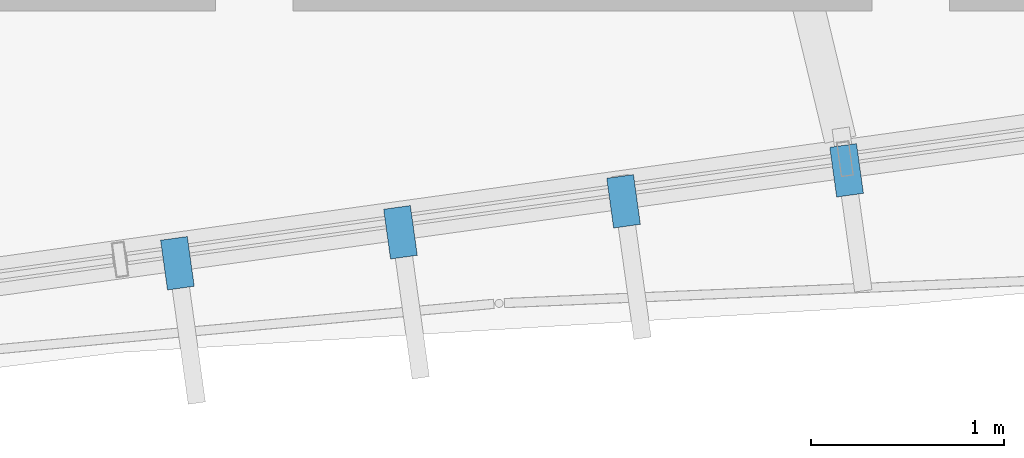
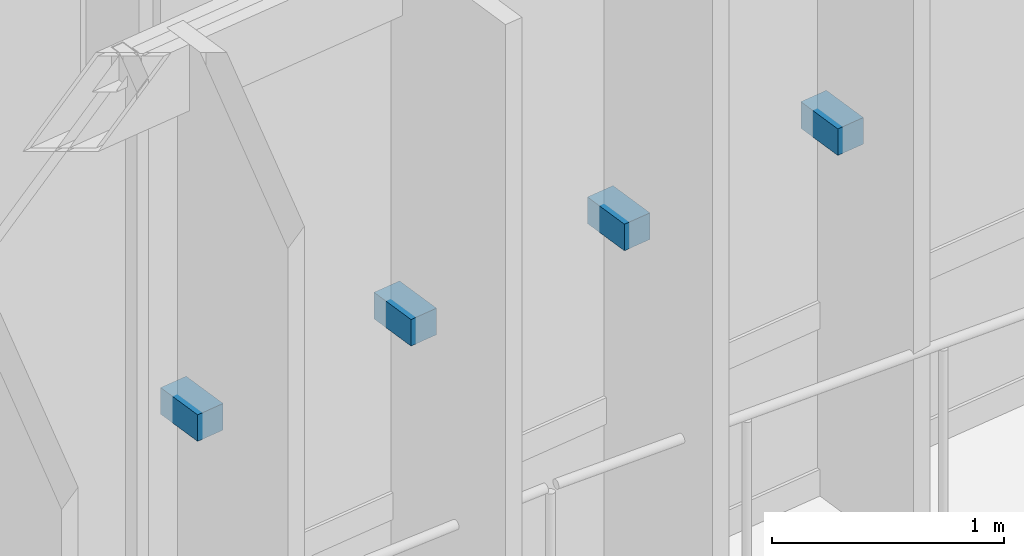
# One storey, part 72 of 78: 4 discrete accessories.
"""IFC4 building model written with IfcOpenShell, lengths in metres."""

from ifc_helpers import new_model, si_unit, direction, frame, origin, origin_2d, place, context, subcontext, project, spatial, rectangle, extrude, material, type_object, element, save


model = new_model("IFC4")

# Units and contexts
model_context = context("Model", 3, precision=1e-05, world=origin(), true_north=direction((0.0, 1.0)))
body_context = subcontext(model_context, "Body", "Model", "MODEL_VIEW")
ifc_project = project(units=[si_unit("LENGTHUNIT", "METRE"), si_unit("AREAUNIT", "SQUARE_METRE"), si_unit("VOLUMEUNIT", "CUBIC_METRE"), si_unit("PLANEANGLEUNIT", "RADIAN"), si_unit("MASSUNIT", "GRAM", prefix="KILO"), si_unit("THERMODYNAMICTEMPERATUREUNIT", "KELVIN"), si_unit("POWERUNIT", "WATT")], contexts=[model_context])

# Site, building, storey
site_placement = place(None, origin())
site = spatial("IfcSite", under=ifc_project, at=site_placement, CompositionType="ELEMENT")
building_placement = place(site_placement, origin())
building = spatial("IfcBuilding", under=site, at=building_placement, Name="Darbajah Civic Hall", CompositionType="ELEMENT")
storey_placement = place(building_placement, frame((0.0, 0.0, 26.39990234375)))
storey = spatial("IfcBuildingStorey", under=building, at=storey_placement, Name="L06", CompositionType="ELEMENT", Elevation=26.39990234375)

# Discrete accessories
ifc_material = material(Name="Stainless Steel S355JR", Category="steel")
discrete_accessory_type = type_object("IfcDiscreteAccessoryType", Name="Stainless Facade Support Bracket", PredefinedType="BRACKET", material=ifc_material)
for number, where, z_axis, x_axis, name in (
    (1, (97.402099609375, 60.927490234375, 1.89013671875), (0.0, 0.0, 1.0), (0.137617420457, -0.990485459553, 0.0), "L06 shading fin bracket 15-4"),
    (2, (98.55712890625, 61.087890625, 1.89013671875), (0.0, 0.0, 1.0), (0.137617420457, -0.990485459553, 0.0), "L06 shading fin bracket 15-5"),
    (3, (99.71240234375, 61.248291015625, 1.89013671875), (0.0, 0.0, 1.0), (0.137617420457, -0.990485459553, 0.0), "L06 shading fin bracket 15-6"),
    (4, (100.867431640625, 61.40869140625, 1.89013671875), (0.0, 0.0, 1.0), (0.137617420457, -0.990485459553, 0.0), "L06 shading fin bracket 15-7"),
):
    element("IfcDiscreteAccessory", number, at=place(storey_placement, frame(where, z_axis=z_axis, x_axis=x_axis)), inside=storey, type_object=discrete_accessory_type, Name=name, PredefinedType="BRACKET", context=body_context, shape_type="SweptSolid", body=[
        extrude(rectangle(XDim=0.260009765625, YDim=0.139892578125, at=origin_2d()), origin(), (0.0, 0.0, 1.0), 0.139892578125),
    ])

save(model, "model.ifc")
